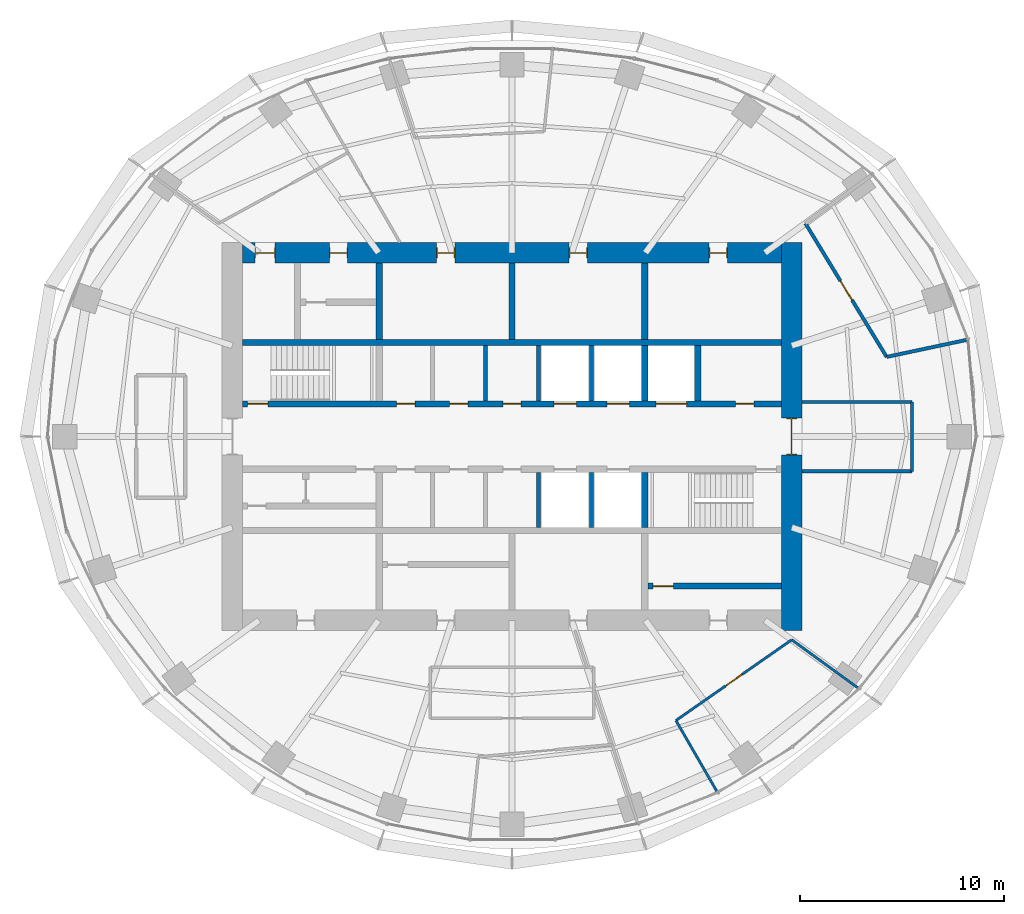
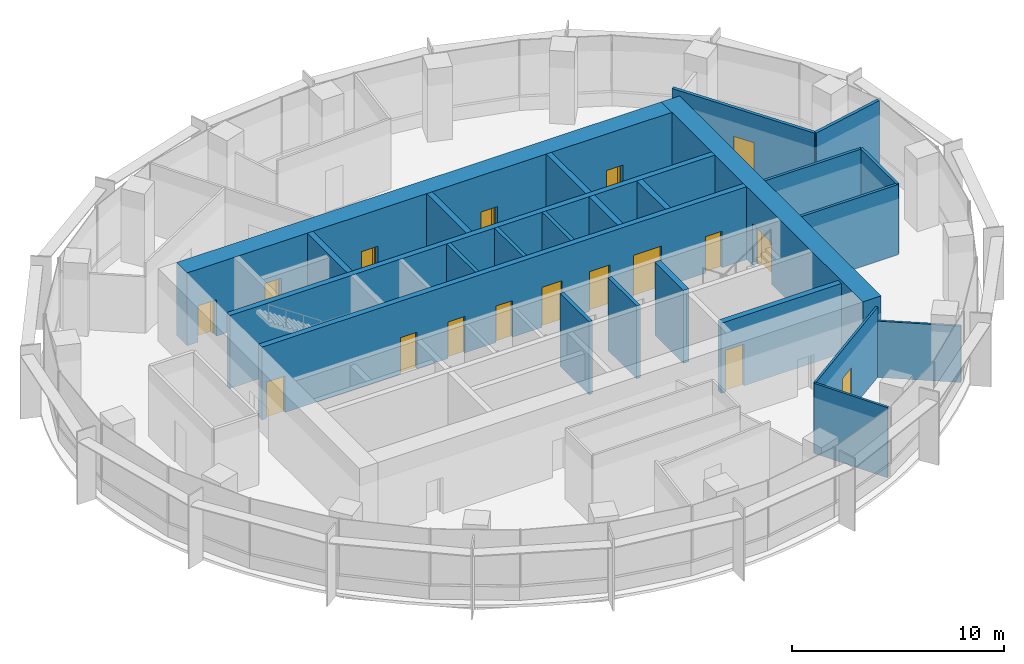
# One storey, part 10 of 13: 24 walls, 17 doors, 17 openings.
"""IFC4 building model written with IfcOpenShell, lengths in metres."""

from ifc_helpers import new_model, si_unit, direction, frame, frame_2d, origin, place, context, subcontext, project, spatial, rectangle, extrude, material, layer, layer_set, type_object, element, fill, save


model = new_model("IFC4")

# Units and contexts
model_context = context("Model", 3, precision=1e-05, world=origin(), true_north=direction((0.0, 1.0)))
body_context = subcontext(model_context, "Body", "Model", "MODEL_VIEW")
ifc_project = project(units=[si_unit("LENGTHUNIT", "METRE"), si_unit("AREAUNIT", "SQUARE_METRE"), si_unit("VOLUMEUNIT", "CUBIC_METRE"), si_unit("PLANEANGLEUNIT", "RADIAN"), si_unit("MASSUNIT", "GRAM", prefix="KILO")], contexts=[model_context])

# Site, building, storey
site_placement = place(None, origin())
site = spatial("IfcSite", under=ifc_project, at=site_placement, CompositionType="ELEMENT")
building_placement = place(site_placement, origin())
building = spatial("IfcBuilding", under=site, at=building_placement, Name="Marramba Exchange Tower", CompositionType="ELEMENT")
storey_placement = place(building_placement, frame((0.0, 0.0, 256.0)))
storey = spatial("IfcBuildingStorey", under=building, at=storey_placement, Name="L62", CompositionType="ELEMENT", Elevation=256.0)

# Wall
ifc_material_1 = material(Name="Plasterboard on staggered double steel studs, acoustic insulation", Category="steel")
ifc_layer_1 = layer(ifc_material_1, 0.169921875)
ifc_layer_set_1 = layer_set([ifc_layer_1], Name="Acoustic partition 170")
wall_type_1 = type_object("IfcWallType", Name="Acoustic partition 170", PredefinedType="PARTITIONING", material=ifc_layer_set_1)
wall_1_placement = place(storey_placement, frame((18.351318359375, 3.900634765625, 0.0), z_axis=(0.0, 0.0, 1.0), x_axis=(0.978140543132, 0.207944891454, 0.0)))
element("IfcWall", 1, at=wall_1_placement, inside=storey, type_object=wall_type_1, Name="Acoustic partition L62 16", PredefinedType="PARTITIONING", context=body_context, shape_type="SweptSolid", body=[
    extrude(rectangle(XDim=4.0, YDim=0.169921875, at=frame_2d((2.0, 0.0))), origin(), (0.0, 0.0, 1.0), 4.0400390625),
])

# Wall, opening, door
wall_2_placement = place(storey_placement, frame((14.37255859375, 10.4423828125, 0.0), z_axis=(0.0, 0.0, 1.0), x_axis=(0.519644460078, -0.854382604639, 0.0)))
wall_2 = element("IfcWall", 2, at=wall_2_placement, inside=storey, type_object=wall_type_1, Name="Acoustic partition L62 17", PredefinedType="PARTITIONING", context=body_context, shape_type="SweptSolid", body=[
    extrude(rectangle(XDim=7.65673828125, YDim=0.169921875, at=frame_2d((3.828369140625, 0.0))), origin(), (0.0, 0.0, 1.0), 4.0400390625),
])
opening_1_placement = place(wall_2_placement, frame((3.302978515625, 0.0, 0.0)))
opening_1 = element("IfcOpeningElement", 3, at=opening_1_placement, cuts=wall_2, Name="Opening D15", PredefinedType="OPENING", context=body_context, shape_type="SweptSolid", body=[
    extrude(rectangle(XDim=1.10009765625, YDim=2.39990234375, at=frame_2d((0.550048828125, 1.199951171875))), frame((0.0, 0.094970703125, 0.0), z_axis=(0.0, -1.0, 0.0), x_axis=(1.0, 0.0, 0.0)), (0.0, 0.0, 1.0), 0.18994140625),
])
ifc_material_2 = material(Name="Timber door", Category="wood")
door_type_1 = type_object("IfcDoorType", Name="Glazed meeting room door 1100x2400", OperationType="SINGLE_SWING_LEFT", PredefinedType="DOOR", material=ifc_material_2)
door_1_placement = place(opening_1_placement, origin())
door_1 = element("IfcDoor", 4, at=door_1_placement, inside=storey, type_object=door_type_1, Name="D15 Boardroom L62", OperationType="SINGLE_SWING_LEFT", OverallHeight=2.39990234375, OverallWidth=1.10009765625, PredefinedType="DOOR", context=body_context, shape_type="SweptSolid", body=[
    extrude(rectangle(XDim=1.10009765625, YDim=2.39990234375, at=frame_2d((0.550048828125, 1.199951171875))), frame((0.0, 0.02490234375, 0.0), z_axis=(0.0, -1.0, 0.0), x_axis=(1.0, 0.0, 0.0)), (0.0, 0.0, 1.0), 0.050048828125),
])
fill(opening_1, door_1)

# Walls
ifc_material_3 = material(Name="Concrete N50", Category="concrete")
ifc_layer_2 = layer(ifc_material_3, 0.199951171875)
ifc_layer_set_2 = layer_set([ifc_layer_2], Name="Core shaft wall 200")
wall_type_2 = type_object("IfcWallType", Name="Core shaft wall 200", PredefinedType="SHEAR", material=ifc_layer_set_2)
for number, where, z_axis, x_axis, name in (
    (5, (-1.300048828125, 1.75, 0.0), (0.0, 0.0, 1.0), (0.0, 1.0, 0.0), "Core wall SHN2 L62"),
    (6, (1.300048828125, 1.75, 0.0), (0.0, 0.0, 1.0), (0.0, 1.0, 0.0), "Core wall SHN3 L62"),
    (7, (3.89990234375, 1.75, 0.0), (0.0, 0.0, 1.0), (0.0, 1.0, 0.0), "Core wall SHN4 L62"),
    (8, (1.300048828125, -1.75, 0.0), (0.0, 0.0, 1.0), (0.0, -1.0, 0.0), "Core wall SHS3 L62"),
    (9, (3.89990234375, -1.75, 0.0), (0.0, 0.0, 1.0), (0.0, -1.0, 0.0), "Core wall SHS4 L62"),
):
    element("IfcWall", number, at=place(storey_placement, frame(where, z_axis=z_axis, x_axis=x_axis)), inside=storey, type_object=wall_type_2, Name=name, PredefinedType="SHEAR", context=body_context, shape_type="SweptSolid", body=[
        extrude(rectangle(XDim=2.699951171875, YDim=0.199951171875, at=frame_2d((1.35009765625, 0.0))), origin(), (0.0, 0.0, 1.0), 4.199951171875),
    ])

# Wall, openings, doors
ifc_layer_3 = layer(ifc_material_3, 1.0)
ifc_layer_set_3 = layer_set([ifc_layer_3], Name="Core wall 1000")
wall_type_3 = type_object("IfcWallType", Name="Core wall 1000", PredefinedType="SHEAR", material=ifc_layer_set_3)
wall_3_placement = place(storey_placement, frame((13.199951171875, 9.0, 0.0), z_axis=(0.0, 0.0, 1.0), x_axis=(-1.0, 0.0, 0.0)))
wall_3 = element("IfcWall", 10, at=wall_3_placement, inside=storey, type_object=wall_type_3, Name="Core wall N L62", PredefinedType="SHEAR", context=body_context, shape_type="SweptSolid", body=[
    extrude(rectangle(XDim=26.39990234375, YDim=1.0, at=frame_2d((13.199951171875, 0.0))), origin(), (0.0, 0.0, 1.0), 4.199951171875),
])
opening_2_placement = place(wall_3_placement, frame((2.64990234375, 0.0, 0.0)))
opening_2 = element("IfcOpeningElement", 11, at=opening_2_placement, cuts=wall_3, Name="Opening D5", PredefinedType="OPENING", context=body_context, shape_type="SweptSolid", body=[
    extrude(rectangle(XDim=0.89990234375, YDim=2.10009765625, at=frame_2d((0.449951171875, 1.050048828125))), frame((0.0, 0.510009765625, 0.0), z_axis=(0.0, -1.0, 0.0), x_axis=(1.0, 0.0, 0.0)), (0.0, 0.0, 1.0), 1.02001953125),
])
opening_3_placement = place(wall_3_placement, frame((9.5, 0.0, 0.0)))
opening_3 = element("IfcOpeningElement", 12, at=opening_3_placement, cuts=wall_3, Name="Opening D3", PredefinedType="OPENING", context=body_context, shape_type="SweptSolid", body=[
    extrude(rectangle(XDim=0.89990234375, YDim=2.10009765625, at=frame_2d((0.449951171875, 1.050048828125))), frame((0.0, 0.510009765625, 0.0), z_axis=(0.0, -1.0, 0.0), x_axis=(1.0, 0.0, 0.0)), (0.0, 0.0, 1.0), 1.02001953125),
])
opening_4_placement = place(wall_3_placement, frame((16.0, 0.0, 0.0)))
opening_4 = element("IfcOpeningElement", 13, at=opening_4_placement, cuts=wall_3, Name="Opening D3", PredefinedType="OPENING", context=body_context, shape_type="SweptSolid", body=[
    extrude(rectangle(XDim=0.89990234375, YDim=2.10009765625, at=frame_2d((0.449951171875, 1.050048828125))), frame((0.0, 0.510009765625, 0.0), z_axis=(0.0, -1.0, 0.0), x_axis=(1.0, 0.0, 0.0)), (0.0, 0.0, 1.0), 1.02001953125),
])
opening_5_placement = place(wall_3_placement, frame((21.25, 0.0, 0.0)))
opening_5 = element("IfcOpeningElement", 14, at=opening_5_placement, cuts=wall_3, Name="Opening D5", PredefinedType="OPENING", context=body_context, shape_type="SweptSolid", body=[
    extrude(rectangle(XDim=0.89990234375, YDim=2.10009765625, at=frame_2d((0.449951171875, 1.050048828125))), frame((0.0, 0.510009765625, 0.0), z_axis=(0.0, -1.0, 0.0), x_axis=(1.0, 0.0, 0.0)), (0.0, 0.0, 1.0), 1.02001953125),
])
opening_6_placement = place(wall_3_placement, frame((24.800048828125, 0.0, 0.0)))
opening_6 = element("IfcOpeningElement", 15, at=opening_6_placement, cuts=wall_3, Name="Opening D4", PredefinedType="OPENING", context=body_context, shape_type="SweptSolid", body=[
    extrude(rectangle(XDim=1.0, YDim=2.10009765625, at=frame_2d((0.5, 1.050048828125))), frame((0.0, 0.510009765625, 0.0), z_axis=(0.0, -1.0, 0.0), x_axis=(1.0, 0.0, 0.0)), (0.0, 0.0, 1.0), 1.02001953125),
])
ifc_material_4 = material(Name="Steel-framed door", Category="steel")
door_type_2 = type_object("IfcDoorType", Name="Accessible toilet door 1000x2100", OperationType="SINGLE_SWING_LEFT", PredefinedType="DOOR", material=ifc_material_4)
door_2_placement = place(opening_6_placement, origin())
door_2 = element("IfcDoor", 16, at=door_2_placement, inside=storey, type_object=door_type_2, Name="D4 awc L62", OperationType="SINGLE_SWING_RIGHT", OverallHeight=2.10009765625, OverallWidth=1.0, PredefinedType="DOOR", context=body_context, shape_type="SweptSolid", body=[
    extrude(rectangle(XDim=0.919921875, YDim=2.06005859375, at=frame_2d((0.5, 1.030029296875))), frame((0.0, 0.02490234375, 0.0), z_axis=(0.0, -1.0, 0.0), x_axis=(1.0, 0.0, 0.0)), (0.0, 0.0, 1.0), 0.050048828125),
    extrude(rectangle(XDim=0.04, YDim=2.10009765625, at=frame_2d((0.02001953125, 1.050048828125))), frame((0.0, 0.25, 0.0), z_axis=(0.0, -1.0, 0.0), x_axis=(1.0, 0.0, 0.0)), (0.0, 0.0, 1.0), 0.5),
    extrude(rectangle(XDim=0.04, YDim=2.10009765625, at=frame_2d((0.97998046875, 1.050048828125))), frame((0.0, 0.25, 0.0), z_axis=(0.0, -1.0, 0.0), x_axis=(1.0, 0.0, 0.0)), (0.0, 0.0, 1.0), 0.5),
    extrude(rectangle(XDim=0.919921875, YDim=0.04, at=frame_2d((0.5, 2.080078125))), frame((0.0, 0.25, 0.0), z_axis=(0.0, -1.0, 0.0), x_axis=(1.0, 0.0, 0.0)), (0.0, 0.0, 1.0), 0.5),
])
fill(opening_6, door_2)
door_type_3 = type_object("IfcDoorType", Name="Service door 900x2100", OperationType="SINGLE_SWING_LEFT", PredefinedType="DOOR", material=ifc_material_4)
door_3_placement = place(opening_2_placement, origin())
door_3 = element("IfcDoor", 17, at=door_3_placement, inside=storey, type_object=door_type_3, Name="D5 comms L62", OperationType="SINGLE_SWING_LEFT", OverallHeight=2.10009765625, OverallWidth=0.89990234375, PredefinedType="DOOR", context=body_context, shape_type="SweptSolid", body=[
    extrude(rectangle(XDim=0.81982421875, YDim=2.06005859375, at=frame_2d((0.449951171875, 1.030029296875))), frame((0.0, 0.02490234375, 0.0), z_axis=(0.0, -1.0, 0.0), x_axis=(1.0, 0.0, 0.0)), (0.0, 0.0, 1.0), 0.050048828125),
    extrude(rectangle(XDim=0.04, YDim=2.10009765625, at=frame_2d((0.02001953125, 1.050048828125))), frame((0.0, 0.25, 0.0), z_axis=(0.0, -1.0, 0.0), x_axis=(1.0, 0.0, 0.0)), (0.0, 0.0, 1.0), 0.5),
    extrude(rectangle(XDim=0.04, YDim=2.10009765625, at=frame_2d((0.8798828125, 1.050048828125))), frame((0.0, 0.25, 0.0), z_axis=(0.0, -1.0, 0.0), x_axis=(1.0, 0.0, 0.0)), (0.0, 0.0, 1.0), 0.5),
    extrude(rectangle(XDim=0.81982421875, YDim=0.04, at=frame_2d((0.449951171875, 2.080078125))), frame((0.0, 0.25, 0.0), z_axis=(0.0, -1.0, 0.0), x_axis=(1.0, 0.0, 0.0)), (0.0, 0.0, 1.0), 0.5),
])
fill(opening_2, door_3)
door_4_placement = place(opening_5_placement, origin())
door_4 = element("IfcDoor", 18, at=door_4_placement, inside=storey, type_object=door_type_3, Name="D5 cleaner L62", OperationType="SINGLE_SWING_RIGHT", OverallHeight=2.10009765625, OverallWidth=0.89990234375, PredefinedType="DOOR", context=body_context, shape_type="SweptSolid", body=[
    extrude(rectangle(XDim=0.81982421875, YDim=2.06005859375, at=frame_2d((0.449951171875, 1.030029296875))), frame((0.0, 0.02490234375, 0.0), z_axis=(0.0, -1.0, 0.0), x_axis=(1.0, 0.0, 0.0)), (0.0, 0.0, 1.0), 0.050048828125),
    extrude(rectangle(XDim=0.04, YDim=2.10009765625, at=frame_2d((0.02001953125, 1.050048828125))), frame((0.0, 0.25, 0.0), z_axis=(0.0, -1.0, 0.0), x_axis=(1.0, 0.0, 0.0)), (0.0, 0.0, 1.0), 0.5),
    extrude(rectangle(XDim=0.04, YDim=2.10009765625, at=frame_2d((0.8798828125, 1.050048828125))), frame((0.0, 0.25, 0.0), z_axis=(0.0, -1.0, 0.0), x_axis=(1.0, 0.0, 0.0)), (0.0, 0.0, 1.0), 0.5),
    extrude(rectangle(XDim=0.81982421875, YDim=0.04, at=frame_2d((0.449951171875, 2.080078125))), frame((0.0, 0.25, 0.0), z_axis=(0.0, -1.0, 0.0), x_axis=(1.0, 0.0, 0.0)), (0.0, 0.0, 1.0), 0.5),
])
fill(opening_5, door_4)
door_type_4 = type_object("IfcDoorType", Name="Toilet door 900x2100", OperationType="SINGLE_SWING_LEFT", PredefinedType="DOOR", material=ifc_material_4)
door_5_placement = place(opening_3_placement, origin())
door_5 = element("IfcDoor", 19, at=door_5_placement, inside=storey, type_object=door_type_4, Name="D3 wc-f L62", OperationType="SINGLE_SWING_RIGHT", OverallHeight=2.10009765625, OverallWidth=0.89990234375, PredefinedType="DOOR", context=body_context, shape_type="SweptSolid", body=[
    extrude(rectangle(XDim=0.81982421875, YDim=2.06005859375, at=frame_2d((0.449951171875, 1.030029296875))), frame((0.0, 0.02490234375, 0.0), z_axis=(0.0, -1.0, 0.0), x_axis=(1.0, 0.0, 0.0)), (0.0, 0.0, 1.0), 0.050048828125),
    extrude(rectangle(XDim=0.04, YDim=2.10009765625, at=frame_2d((0.02001953125, 1.050048828125))), frame((0.0, 0.25, 0.0), z_axis=(0.0, -1.0, 0.0), x_axis=(1.0, 0.0, 0.0)), (0.0, 0.0, 1.0), 0.5),
    extrude(rectangle(XDim=0.04, YDim=2.10009765625, at=frame_2d((0.8798828125, 1.050048828125))), frame((0.0, 0.25, 0.0), z_axis=(0.0, -1.0, 0.0), x_axis=(1.0, 0.0, 0.0)), (0.0, 0.0, 1.0), 0.5),
    extrude(rectangle(XDim=0.81982421875, YDim=0.04, at=frame_2d((0.449951171875, 2.080078125))), frame((0.0, 0.25, 0.0), z_axis=(0.0, -1.0, 0.0), x_axis=(1.0, 0.0, 0.0)), (0.0, 0.0, 1.0), 0.5),
])
fill(opening_3, door_5)
door_6_placement = place(opening_4_placement, origin())
door_6 = element("IfcDoor", 20, at=door_6_placement, inside=storey, type_object=door_type_4, Name="D3 wc-m L62", OperationType="SINGLE_SWING_RIGHT", OverallHeight=2.10009765625, OverallWidth=0.89990234375, PredefinedType="DOOR", context=body_context, shape_type="SweptSolid", body=[
    extrude(rectangle(XDim=0.81982421875, YDim=2.06005859375, at=frame_2d((0.449951171875, 1.030029296875))), frame((0.0, 0.02490234375, 0.0), z_axis=(0.0, -1.0, 0.0), x_axis=(1.0, 0.0, 0.0)), (0.0, 0.0, 1.0), 0.050048828125),
    extrude(rectangle(XDim=0.04, YDim=2.10009765625, at=frame_2d((0.02001953125, 1.050048828125))), frame((0.0, 0.25, 0.0), z_axis=(0.0, -1.0, 0.0), x_axis=(1.0, 0.0, 0.0)), (0.0, 0.0, 1.0), 0.5),
    extrude(rectangle(XDim=0.04, YDim=2.10009765625, at=frame_2d((0.8798828125, 1.050048828125))), frame((0.0, 0.25, 0.0), z_axis=(0.0, -1.0, 0.0), x_axis=(1.0, 0.0, 0.0)), (0.0, 0.0, 1.0), 0.5),
    extrude(rectangle(XDim=0.81982421875, YDim=0.04, at=frame_2d((0.449951171875, 2.080078125))), frame((0.0, 0.25, 0.0), z_axis=(0.0, -1.0, 0.0), x_axis=(1.0, 0.0, 0.0)), (0.0, 0.0, 1.0), 0.5),
])
fill(opening_4, door_6)

# Wall, opening, door
wall_4_placement = place(storey_placement, frame((13.699951171875, -9.5, 0.0), z_axis=(0.0, 0.0, 1.0), x_axis=(0.0, 1.0, 0.0)))
wall_4 = element("IfcWall", 21, at=wall_4_placement, inside=storey, type_object=wall_type_3, Name="Core wall E L62", PredefinedType="SHEAR", context=body_context, shape_type="SweptSolid", body=[
    extrude(rectangle(XDim=19.0, YDim=1.0, at=frame_2d((9.5, 0.0))), origin(), (0.0, 0.0, 1.0), 4.199951171875),
])
opening_7_placement = place(wall_4_placement, frame((8.60009765625, 0.0, 0.0)))
opening_7 = element("IfcOpeningElement", 22, at=opening_7_placement, cuts=wall_4, Name="Opening D1", PredefinedType="OPENING", context=body_context, shape_type="SweptSolid", body=[
    extrude(rectangle(XDim=1.800048828125, YDim=2.39990234375, at=frame_2d((0.89990234375, 1.199951171875))), frame((0.0, 0.510009765625, 0.0), z_axis=(0.0, -1.0, 0.0), x_axis=(1.0, 0.0, 0.0)), (0.0, 0.0, 1.0), 1.02001953125),
])
door_type_5 = type_object("IfcDoorType", Name="Lobby exit door 1800x2400", OperationType="DOUBLE_DOOR_SINGLE_SWING", PredefinedType="DOOR", material=ifc_material_4)
door_7_placement = place(opening_7_placement, frame((1.800048828125, 0.0, 0.0), z_axis=(0.0, 0.0, 1.0), x_axis=(-1.0, 0.0, 0.0)))
door_7 = element("IfcDoor", 23, at=door_7_placement, inside=storey, type_object=door_type_5, Name="D1 lobby exit east L62", OperationType="DOUBLE_DOOR_SINGLE_SWING", OverallHeight=2.39990234375, OverallWidth=1.800048828125, PredefinedType="DOOR", context=body_context, shape_type="SweptSolid", body=[
    extrude(rectangle(XDim=1.719970703125, YDim=2.35986328125, at=frame_2d((0.900146484375, 1.179931640625))), frame((0.0, 0.025146484375, 0.0), z_axis=(0.0, -1.0, 0.0), x_axis=(1.0, 0.0, 0.0)), (0.0, 0.0, 1.0), 0.050048828125),
    extrude(rectangle(XDim=0.04, YDim=2.39990234375, at=frame_2d((1.780029296875, 1.199951171875))), frame((0.0, 0.25, 0.0), z_axis=(0.0, -1.0, 0.0), x_axis=(1.0, 0.0, 0.0)), (0.0, 0.0, 1.0), 0.5),
    extrude(rectangle(XDim=0.04, YDim=2.39990234375, at=frame_2d((0.02001953125, 1.199951171875))), frame((0.0, 0.25, 0.0), z_axis=(0.0, -1.0, 0.0), x_axis=(1.0, 0.0, 0.0)), (0.0, 0.0, 1.0), 0.5),
    extrude(rectangle(XDim=1.719970703125, YDim=0.04, at=frame_2d((0.900146484375, 2.3798828125))), frame((0.0, 0.25, 0.0), z_axis=(0.0, -1.0, 0.0), x_axis=(1.0, 0.0, 0.0)), (0.0, 0.0, 1.0), 0.5),
])
fill(opening_7, door_7)

# Wall, openings, doors
ifc_layer_4 = layer(ifc_material_3, 0.300048828125)
ifc_layer_set_4 = layer_set([ifc_layer_4], Name="Core wall 300")
wall_type_4 = type_object("IfcWallType", Name="Core wall 300", PredefinedType="SHEAR", material=ifc_layer_set_4)
wall_5_placement = place(storey_placement, frame((-13.199951171875, 1.60009765625, 0.0), z_axis=(0.0, 0.0, 1.0), x_axis=(1.0, 0.0, 0.0)))
wall_5 = element("IfcWall", 24, at=wall_5_placement, inside=storey, type_object=wall_type_4, Name="Core wall LN L62", PredefinedType="SHEAR", context=body_context, shape_type="SweptSolid", body=[
    extrude(rectangle(XDim=26.39990234375, YDim=0.300048828125, at=frame_2d((13.199951171875, 0.0))), origin(), (0.0, 0.0, 1.0), 4.199951171875),
])
opening_8_placement = place(wall_5_placement, frame((0.25, 0.0, 0.0)))
opening_8 = element("IfcOpeningElement", 25, at=opening_8_placement, cuts=wall_5, Name="Opening D2", PredefinedType="OPENING", context=body_context, shape_type="SweptSolid", body=[
    extrude(rectangle(XDim=1.0, YDim=2.10009765625, at=frame_2d((0.5, 1.050048828125))), frame((0.0, 0.159912109375, 0.0), z_axis=(0.0, -1.0, 0.0), x_axis=(1.0, 0.0, 0.0)), (0.0, 0.0, 1.0), 0.320068359375),
])
opening_9_placement = place(wall_5_placement, frame((20.25, 0.0, 0.0)))
opening_9 = element("IfcOpeningElement", 26, at=opening_9_placement, cuts=wall_5, Name="Opening LD3", PredefinedType="OPENING", context=body_context, shape_type="SweptSolid", body=[
    extrude(rectangle(XDim=1.5, YDim=2.39990234375, at=frame_2d((0.75, 1.199951171875))), frame((0.0, 0.159912109375, 0.0), z_axis=(0.0, -1.0, 0.0), x_axis=(1.0, 0.0, 0.0)), (0.0, 0.0, 1.0), 0.320068359375),
])
opening_10_placement = place(wall_5_placement, frame((7.550048828125, 0.0, 0.0)))
opening_10 = element("IfcOpeningElement", 27, at=opening_10_placement, cuts=wall_5, Name="Opening D5", PredefinedType="OPENING", context=body_context, shape_type="SweptSolid", body=[
    extrude(rectangle(XDim=0.89990234375, YDim=2.10009765625, at=frame_2d((0.449951171875, 1.050048828125))), frame((0.0, 0.159912109375, 0.0), z_axis=(0.0, -1.0, 0.0), x_axis=(1.0, 0.0, 0.0)), (0.0, 0.0, 1.0), 0.320068359375),
])
opening_11_placement = place(wall_5_placement, frame((10.14990234375, 0.0, 0.0)))
opening_11 = element("IfcOpeningElement", 28, at=opening_11_placement, cuts=wall_5, Name="Opening D5", PredefinedType="OPENING", context=body_context, shape_type="SweptSolid", body=[
    extrude(rectangle(XDim=0.89990234375, YDim=2.10009765625, at=frame_2d((0.449951171875, 1.050048828125))), frame((0.0, 0.159912109375, 0.0), z_axis=(0.0, -1.0, 0.0), x_axis=(1.0, 0.0, 0.0)), (0.0, 0.0, 1.0), 0.320068359375),
])
opening_12_placement = place(wall_5_placement, frame((12.75, 0.0, 0.0)))
opening_12 = element("IfcOpeningElement", 29, at=opening_12_placement, cuts=wall_5, Name="Opening D5", PredefinedType="OPENING", context=body_context, shape_type="SweptSolid", body=[
    extrude(rectangle(XDim=0.89990234375, YDim=2.10009765625, at=frame_2d((0.449951171875, 1.050048828125))), frame((0.0, 0.159912109375, 0.0), z_axis=(0.0, -1.0, 0.0), x_axis=(1.0, 0.0, 0.0)), (0.0, 0.0, 1.0), 0.320068359375),
])
opening_13_placement = place(wall_5_placement, frame((15.25, 0.0, 0.0)))
opening_13 = element("IfcOpeningElement", 30, at=opening_13_placement, cuts=wall_5, Name="Opening LD1", PredefinedType="OPENING", context=body_context, shape_type="SweptSolid", body=[
    extrude(rectangle(XDim=1.10009765625, YDim=2.300048828125, at=frame_2d((0.550048828125, 1.14990234375))), frame((0.0, 0.159912109375, 0.0), z_axis=(0.0, -1.0, 0.0), x_axis=(1.0, 0.0, 0.0)), (0.0, 0.0, 1.0), 0.320068359375),
])
opening_14_placement = place(wall_5_placement, frame((17.85009765625, 0.0, 0.0)))
opening_14 = element("IfcOpeningElement", 31, at=opening_14_placement, cuts=wall_5, Name="Opening LD1", PredefinedType="OPENING", context=body_context, shape_type="SweptSolid", body=[
    extrude(rectangle(XDim=1.10009765625, YDim=2.300048828125, at=frame_2d((0.550048828125, 1.14990234375))), frame((0.0, 0.159912109375, 0.0), z_axis=(0.0, -1.0, 0.0), x_axis=(1.0, 0.0, 0.0)), (0.0, 0.0, 1.0), 0.320068359375),
])
opening_15_placement = place(wall_5_placement, frame((24.14990234375, 0.0, 0.0)))
opening_15 = element("IfcOpeningElement", 32, at=opening_15_placement, cuts=wall_5, Name="Opening D5", PredefinedType="OPENING", context=body_context, shape_type="SweptSolid", body=[
    extrude(rectangle(XDim=0.89990234375, YDim=2.10009765625, at=frame_2d((0.449951171875, 1.050048828125))), frame((0.0, 0.159912109375, 0.0), z_axis=(0.0, -1.0, 0.0), x_axis=(1.0, 0.0, 0.0)), (0.0, 0.0, 1.0), 0.320068359375),
])
door_type_6 = type_object("IfcDoorType", Name="Goods lift landing door 1500x2400", OperationType="SLIDING_TO_LEFT", PredefinedType="DOOR", material=ifc_material_4)
door_8_placement = place(opening_9_placement, origin())
door_8 = element("IfcDoor", 33, at=door_8_placement, inside=storey, type_object=door_type_6, Name="GL1 landing door L62", OperationType="SLIDING_TO_RIGHT", OverallHeight=2.39990234375, OverallWidth=1.5, PredefinedType="DOOR", context=body_context, shape_type="SweptSolid", body=[
    extrude(rectangle(XDim=1.5, YDim=2.39990234375, at=frame_2d((0.75, 1.199951171875))), frame((0.0, 0.02490234375, 0.0), z_axis=(0.0, -1.0, 0.0), x_axis=(1.0, 0.0, 0.0)), (0.0, 0.0, 1.0), 0.050048828125),
])
fill(opening_9, door_8)
door_type_7 = type_object("IfcDoorType", Name="Lift landing door 1100x2300", OperationType="SLIDING_TO_LEFT", PredefinedType="DOOR", material=ifc_material_4)
door_9_placement = place(opening_13_placement, origin())
door_9 = element("IfcDoor", 34, at=door_9_placement, inside=storey, type_object=door_type_7, Name="LD1 landing door L62", OperationType="SLIDING_TO_LEFT", OverallHeight=2.300048828125, OverallWidth=1.10009765625, PredefinedType="DOOR", context=body_context, shape_type="SweptSolid", body=[
    extrude(rectangle(XDim=1.10009765625, YDim=2.300048828125, at=frame_2d((0.550048828125, 1.14990234375))), frame((0.0, 0.02490234375, 0.0), z_axis=(0.0, -1.0, 0.0), x_axis=(1.0, 0.0, 0.0)), (0.0, 0.0, 1.0), 0.050048828125),
])
fill(opening_13, door_9)
door_10_placement = place(opening_14_placement, origin())
door_10 = element("IfcDoor", 35, at=door_10_placement, inside=storey, type_object=door_type_7, Name="LD2 landing door L62", OperationType="SLIDING_TO_LEFT", OverallHeight=2.300048828125, OverallWidth=1.10009765625, PredefinedType="DOOR", context=body_context, shape_type="SweptSolid", body=[
    extrude(rectangle(XDim=1.10009765625, YDim=2.300048828125, at=frame_2d((0.550048828125, 1.14990234375))), frame((0.0, 0.02490234375, 0.0), z_axis=(0.0, -1.0, 0.0), x_axis=(1.0, 0.0, 0.0)), (0.0, 0.0, 1.0), 0.050048828125),
])
fill(opening_14, door_10)
door_11_placement = place(opening_10_placement, origin())
door_11 = element("IfcDoor", 36, at=door_11_placement, inside=storey, type_object=door_type_3, Name="D5 print room L62", OperationType="SINGLE_SWING_RIGHT", OverallHeight=2.10009765625, OverallWidth=0.89990234375, PredefinedType="DOOR", context=body_context, shape_type="SweptSolid", body=[
    extrude(rectangle(XDim=0.89990234375, YDim=2.10009765625, at=frame_2d((0.449951171875, 1.050048828125))), frame((0.0, 0.02490234375, 0.0), z_axis=(0.0, -1.0, 0.0), x_axis=(1.0, 0.0, 0.0)), (0.0, 0.0, 1.0), 0.050048828125),
])
fill(opening_10, door_11)
door_12_placement = place(opening_11_placement, origin())
door_12 = element("IfcDoor", 37, at=door_12_placement, inside=storey, type_object=door_type_3, Name="D5 stationery store L62", OperationType="SINGLE_SWING_RIGHT", OverallHeight=2.10009765625, OverallWidth=0.89990234375, PredefinedType="DOOR", context=body_context, shape_type="SweptSolid", body=[
    extrude(rectangle(XDim=0.89990234375, YDim=2.10009765625, at=frame_2d((0.449951171875, 1.050048828125))), frame((0.0, 0.02490234375, 0.0), z_axis=(0.0, -1.0, 0.0), x_axis=(1.0, 0.0, 0.0)), (0.0, 0.0, 1.0), 0.050048828125),
])
fill(opening_11, door_12)
door_13_placement = place(opening_12_placement, origin())
door_13 = element("IfcDoor", 38, at=door_13_placement, inside=storey, type_object=door_type_3, Name="D5 switch room L62", OperationType="SINGLE_SWING_RIGHT", OverallHeight=2.10009765625, OverallWidth=0.89990234375, PredefinedType="DOOR", context=body_context, shape_type="SweptSolid", body=[
    extrude(rectangle(XDim=0.89990234375, YDim=2.10009765625, at=frame_2d((0.449951171875, 1.050048828125))), frame((0.0, 0.02490234375, 0.0), z_axis=(0.0, -1.0, 0.0), x_axis=(1.0, 0.0, 0.0)), (0.0, 0.0, 1.0), 0.050048828125),
])
fill(opening_12, door_13)
door_14_placement = place(opening_15_placement, origin())
door_14 = element("IfcDoor", 39, at=door_14_placement, inside=storey, type_object=door_type_3, Name="D5 riser L62", OperationType="SINGLE_SWING_RIGHT", OverallHeight=2.10009765625, OverallWidth=0.89990234375, PredefinedType="DOOR", context=body_context, shape_type="SweptSolid", body=[
    extrude(rectangle(XDim=0.89990234375, YDim=2.10009765625, at=frame_2d((0.449951171875, 1.050048828125))), frame((0.0, 0.02490234375, 0.0), z_axis=(0.0, -1.0, 0.0), x_axis=(1.0, 0.0, 0.0)), (0.0, 0.0, 1.0), 0.050048828125),
])
fill(opening_15, door_14)
door_type_8 = type_object("IfcDoorType", Name="Stair door 1000x2100", OperationType="SINGLE_SWING_LEFT", PredefinedType="DOOR", material=ifc_material_4)
door_15_placement = place(opening_8_placement, origin())
door_15 = element("IfcDoor", 40, at=door_15_placement, inside=storey, type_object=door_type_8, Name="D2 stair ST1 L62", OperationType="SINGLE_SWING_LEFT", OverallHeight=2.10009765625, OverallWidth=1.0, PredefinedType="DOOR", context=body_context, shape_type="SweptSolid", body=[
    extrude(rectangle(XDim=1.0, YDim=2.10009765625, at=frame_2d((0.5, 1.050048828125))), frame((0.0, 0.02490234375, 0.0), z_axis=(0.0, -1.0, 0.0), x_axis=(1.0, 0.0, 0.0)), (0.0, 0.0, 1.0), 0.050048828125),
])
fill(opening_8, door_15)

# Walls
wall_6_placement = place(storey_placement, frame((-13.199951171875, 4.60009765625, 0.0), z_axis=(0.0, 0.0, 1.0), x_axis=(1.0, 0.0, 0.0)))
element("IfcWall", 41, at=wall_6_placement, inside=storey, type_object=wall_type_4, Name="Core wall BN L62", PredefinedType="SHEAR", context=body_context, shape_type="SweptSolid", body=[
    extrude(rectangle(XDim=26.39990234375, YDim=0.300048828125, at=frame_2d((13.199951171875, 0.0))), origin(), (0.0, 0.0, 1.0), 4.199951171875),
])
wall_7_placement = place(storey_placement, frame((-6.5, 4.75, 0.0), z_axis=(0.0, 0.0, 1.0), x_axis=(0.0, 1.0, 0.0)))
element("IfcWall", 42, at=wall_7_placement, inside=storey, type_object=wall_type_4, Name="Core wall X0Nb L62", PredefinedType="SHEAR", context=body_context, shape_type="SweptSolid", body=[
    extrude(rectangle(XDim=3.75, YDim=0.300048828125, at=frame_2d((1.875, 0.0))), origin(), (0.0, 0.0, 1.0), 4.199951171875),
])
wall_8_placement = place(storey_placement, frame((6.5, 1.75, 0.0), z_axis=(0.0, 0.0, 1.0), x_axis=(0.0, 1.0, 0.0)))
element("IfcWall", 43, at=wall_8_placement, inside=storey, type_object=wall_type_4, Name="Core wall X1Na L62", PredefinedType="SHEAR", context=body_context, shape_type="SweptSolid", body=[
    extrude(rectangle(XDim=2.699951171875, YDim=0.300048828125, at=frame_2d((1.35009765625, 0.0))), origin(), (0.0, 0.0, 1.0), 4.199951171875),
])
for number, where, z_axis, x_axis, name in (
    (44, (6.5, 4.75, 0.0), (0.0, 0.0, 1.0), (0.0, 1.0, 0.0), "Core wall X1Nb L62"),
    (45, (0.0, 4.75, 0.0), (0.0, 0.0, 1.0), (0.0, 1.0, 0.0), "Core wall MN L62"),
):
    element("IfcWall", number, at=place(storey_placement, frame(where, z_axis=z_axis, x_axis=x_axis)), inside=storey, type_object=wall_type_4, Name=name, PredefinedType="SHEAR", context=body_context, shape_type="SweptSolid", body=[
        extrude(rectangle(XDim=3.75, YDim=0.300048828125, at=frame_2d((1.875, 0.0))), origin(), (0.0, 0.0, 1.0), 4.199951171875),
    ])
for number, where, z_axis, x_axis, name in (
    (46, (6.5, -1.75, 0.0), (0.0, 0.0, 1.0), (0.0, -1.0, 0.0), "Core wall X1Sa L62"),
    (47, (9.10009765625, 1.75, 0.0), (0.0, 0.0, 1.0), (0.0, 1.0, 0.0), "Core wall ED L62"),
):
    element("IfcWall", number, at=place(storey_placement, frame(where, z_axis=z_axis, x_axis=x_axis)), inside=storey, type_object=wall_type_4, Name=name, PredefinedType="SHEAR", context=body_context, shape_type="SweptSolid", body=[
        extrude(rectangle(XDim=2.699951171875, YDim=0.300048828125, at=frame_2d((1.35009765625, 0.0))), origin(), (0.0, 0.0, 1.0), 4.199951171875),
    ])
ifc_material_5 = material(Name="Plasterboard on steel studs", Category="steel")
ifc_layer_5 = layer(ifc_material_5, 0.1201171875)
ifc_layer_set_5 = layer_set([ifc_layer_5], Name="Partition 120")
wall_type_5 = type_object("IfcWallType", Name="Partition 120", PredefinedType="PARTITIONING", material=ifc_layer_set_5)
wall_9_placement = place(storey_placement, frame((8.030517578125, -13.909423828125, 0.0), z_axis=(0.0, 0.0, 1.0), x_axis=(0.49999894854, -0.866026010844, 0.0)))
element("IfcWall", 48, at=wall_9_placement, inside=storey, type_object=wall_type_5, Name="Partition L62 10", PredefinedType="PARTITIONING", context=body_context, shape_type="SweptSolid", body=[
    extrude(rectangle(XDim=4.0, YDim=0.1201171875, at=frame_2d((2.0, 0.0))), origin(), (0.0, 0.0, 1.0), 4.0400390625),
])

# Wall, opening, door
wall_10_placement = place(storey_placement, frame((13.7021484375, -9.955322265625, 0.0), z_axis=(0.0, 0.0, 1.0), x_axis=(-0.820320356129, -0.571904286852, 0.0)))
wall_10 = element("IfcWall", 49, at=wall_10_placement, inside=storey, type_object=wall_type_5, Name="Partition L62 11", PredefinedType="PARTITIONING", context=body_context, shape_type="SweptSolid", body=[
    extrude(rectangle(XDim=6.913818359375, YDim=0.1201171875, at=frame_2d((3.45703125, 0.0))), origin(), (0.0, 0.0, 1.0), 4.0400390625),
])
opening_16_placement = place(wall_10_placement, frame((2.95703125, 0.0, 0.0)))
opening_16 = element("IfcOpeningElement", 50, at=opening_16_placement, cuts=wall_10, Name="Opening D9", PredefinedType="OPENING", context=body_context, shape_type="SweptSolid", body=[
    extrude(rectangle(XDim=1.0, YDim=2.39990234375, at=frame_2d((0.5, 1.199951171875))), frame((0.0, 0.070068359375, 0.0), z_axis=(0.0, -1.0, 0.0), x_axis=(1.0, 0.0, 0.0)), (0.0, 0.0, 1.0), 0.14013671875),
])
door_type_9 = type_object("IfcDoorType", Name="Room door 1000x2400", OperationType="SINGLE_SWING_LEFT", PredefinedType="DOOR", material=ifc_material_2)
door_16_placement = place(opening_16_placement, origin())
door_16 = element("IfcDoor", 51, at=door_16_placement, inside=storey, type_object=door_type_9, Name="D9 Executive Office 4 L62", OperationType="SINGLE_SWING_RIGHT", OverallHeight=2.39990234375, OverallWidth=1.0, PredefinedType="DOOR", context=body_context, shape_type="SweptSolid", body=[
    extrude(rectangle(XDim=1.0, YDim=2.39990234375, at=frame_2d((0.5, 1.199951171875))), frame((0.0, 0.02490234375, 0.0), z_axis=(0.0, -1.0, 0.0), x_axis=(1.0, 0.0, 0.0)), (0.0, 0.0, 1.0), 0.050048828125),
])
fill(opening_16, door_16)

# Wall
wall_11_placement = place(storey_placement, frame((16.938232421875, -12.306396484375, 0.0), z_axis=(0.0, 0.0, 1.0), x_axis=(-0.809026317077, 0.587772420479, 0.0)))
element("IfcWall", 52, at=wall_11_placement, inside=storey, type_object=wall_type_5, Name="Partition L62 12", PredefinedType="PARTITIONING", context=body_context, shape_type="SweptSolid", body=[
    extrude(rectangle(XDim=4.0, YDim=0.1201171875, at=frame_2d((2.0, 0.0))), origin(), (0.0, 0.0, 1.0), 3.239990234375),
])

# Wall, opening, door
ifc_material_6 = material(Name="Plasterboard on steel studs, insulated, unrated", Category="steel")
ifc_layer_6 = layer(ifc_material_6, 0.300048828125)
ifc_layer_set_6 = layer_set([ifc_layer_6], Name="Store partition 300")
wall_type_6 = type_object("IfcWallType", Name="Store partition 300", PredefinedType="PARTITIONING", material=ifc_layer_set_6)
wall_12_placement = place(storey_placement, frame((6.64990234375, -7.327880859375, 0.0), z_axis=(0.0, 0.0, 1.0), x_axis=(1.0, 0.0, 0.0)))
wall_12 = element("IfcWall", 53, at=wall_12_placement, inside=storey, type_object=wall_type_6, Name="Store partition L62 cstore", PredefinedType="PARTITIONING", context=body_context, shape_type="SweptSolid", body=[
    extrude(rectangle(XDim=6.550048828125, YDim=0.300048828125, at=frame_2d((3.27490234375, 0.0))), origin(), (0.0, 0.0, 1.0), 4.0400390625),
])
opening_17_placement = place(wall_12_placement, frame((0.25, 0.0, 0.0)))
opening_17 = element("IfcOpeningElement", 54, at=opening_17_placement, cuts=wall_12, Name="Opening D9", PredefinedType="OPENING", context=body_context, shape_type="SweptSolid", body=[
    extrude(rectangle(XDim=1.0, YDim=2.39990234375, at=frame_2d((0.5, 1.199951171875))), frame((0.0, 0.159912109375, 0.0), z_axis=(0.0, -1.0, 0.0), x_axis=(1.0, 0.0, 0.0)), (0.0, 0.0, 1.0), 0.320068359375),
])
door_17_placement = place(opening_17_placement, frame((1.0, 0.0, 0.0), z_axis=(0.0, 0.0, 1.0), x_axis=(-1.0, 0.0, 0.0)))
door_17 = element("IfcDoor", 55, at=door_17_placement, inside=storey, type_object=door_type_9, Name="D9 general store L62", OperationType="SINGLE_SWING_RIGHT", OverallHeight=2.39990234375, OverallWidth=1.0, PredefinedType="DOOR", context=body_context, shape_type="SweptSolid", body=[
    extrude(rectangle(XDim=1.0, YDim=2.39990234375, at=frame_2d((0.5, 1.199951171875))), frame((0.0, 0.025146484375, 0.0), z_axis=(0.0, -1.0, 0.0), x_axis=(1.0, 0.0, 0.0)), (0.0, 0.0, 1.0), 0.050048828125),
])
fill(opening_17, door_17)

# Walls
ifc_material_7 = material(Name="Fire-rated plasterboard on steel studs, acoustic insulation", Category="steel")
ifc_layer_7 = layer(ifc_material_7, 0.14990234375)
ifc_layer_set_7 = layer_set([ifc_layer_7], Name="Tenancy wall 150")
wall_type_7 = type_object("IfcWallType", Name="Tenancy wall 150", PredefinedType="PARTITIONING", material=ifc_layer_set_7)
wall_13_placement = place(storey_placement, frame((14.199951171875, -1.699951171875, 0.0), z_axis=(0.0, 0.0, 1.0), x_axis=(1.0, 0.0, 0.0)))
element("IfcWall", 56, at=wall_13_placement, inside=storey, type_object=wall_type_7, Name="Tenancy wall L62 13", PredefinedType="PARTITIONING", context=body_context, shape_type="SweptSolid", body=[
    extrude(rectangle(XDim=5.400146484375, YDim=0.14990234375, at=frame_2d((2.7001953125, 0.0))), origin(), (0.0, 0.0, 1.0), 4.0400390625),
])
wall_14_placement = place(storey_placement, frame((19.60009765625, -1.699951171875, 0.0), z_axis=(0.0, 0.0, 1.0), x_axis=(0.0, 1.0, 0.0)))
element("IfcWall", 57, at=wall_14_placement, inside=storey, type_object=wall_type_7, Name="Tenancy wall L62 14", PredefinedType="PARTITIONING", context=body_context, shape_type="SweptSolid", body=[
    extrude(rectangle(XDim=3.39990234375, YDim=0.14990234375, at=frame_2d((1.699951171875, 0.0))), origin(), (0.0, 0.0, 1.0), 4.0400390625),
])
wall_15_placement = place(storey_placement, frame((19.60009765625, 1.699951171875, 0.0), z_axis=(0.0, 0.0, 1.0), x_axis=(-1.0, 0.0, 0.0)))
element("IfcWall", 58, at=wall_15_placement, inside=storey, type_object=wall_type_7, Name="Tenancy wall L62 15", PredefinedType="PARTITIONING", context=body_context, shape_type="SweptSolid", body=[
    extrude(rectangle(XDim=5.400146484375, YDim=0.14990234375, at=frame_2d((2.7001953125, 0.0))), origin(), (0.0, 0.0, 1.0), 4.0400390625),
])

save(model, "model.ifc")
